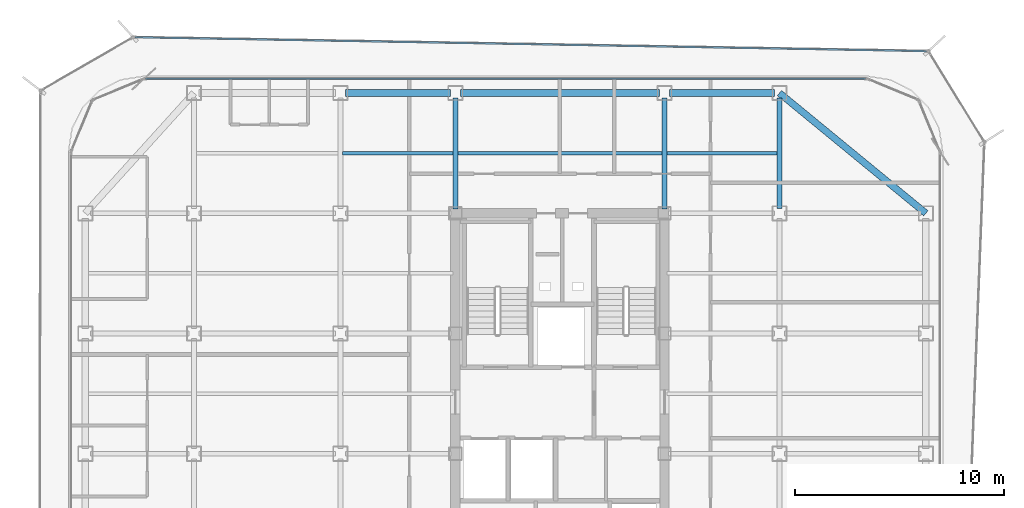
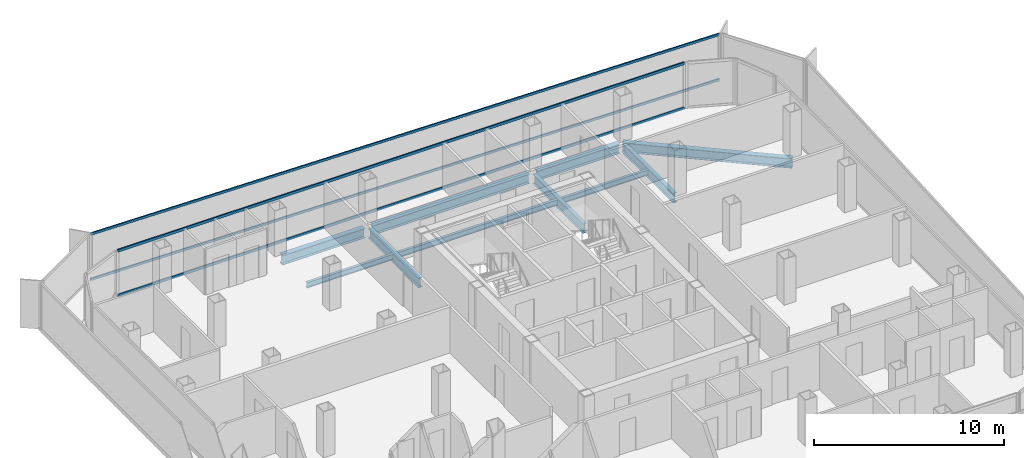
# One storey, part 7 of 16: 10 beams, 4 members, 2 elements without a shape of their own.
"""IFC4 building model written with IfcOpenShell, lengths in metres."""

import ifcopenshell
import ifcopenshell.guid

model = None  # the IFC model being written
_history = None  # IfcOwnerHistory: only IFC2X3 demands one
_inside = {}  # id of a spatial element -> (the spatial element, [elements in it])
_under = {}  # id of a project, library or spatial element -> (it, [spatial elements below it])
_declared = {}  # id of a project -> (the project, [libraries it declares])
_typed = {}  # id of a type object -> (the type object, [elements of that type])
_made_of = {}  # id of a material, layer set ... -> (it, [elements and type objects made of it])


def new_model(schema):
    """Start an empty IFC model of exactly this schema.

    Asked for "IFC4X3", IfcOpenShell would pick the latest addendum, in which some entities
    have other attributes; the version numbers below select the first issue.
    IFC2X3 requires an IfcOwnerHistory on every rooted entity: one is made here for all.
    """
    global model, _history
    if schema == "IFC4X3":
        model = ifcopenshell.file(schema_version=(4, 3, 0, 0))
    else:
        model = ifcopenshell.file(schema=schema)
    _inside.clear()
    _under.clear()
    _declared.clear()
    _typed.clear()
    _made_of.clear()
    _history = None
    if model.schema == "IFC2X3":
        org = make("IfcOrganization", Name="unknown")
        user = make(
            "IfcPersonAndOrganization",
            ThePerson=make("IfcPerson", FamilyName="unknown"),
            TheOrganization=org,
        )
        app = make(
            "IfcApplication",
            ApplicationDeveloper=org,
            Version="unknown",
            ApplicationFullName="unknown",
            ApplicationIdentifier="unknown",
        )
        _history = make(
            "IfcOwnerHistory",
            OwningUser=user,
            OwningApplication=app,
            ChangeAction="ADDED",
            CreationDate=0,
        )
    return model


def make(cls, **values):
    """One entity of the class cls with the attributes given. An attribute that is None is left unset."""
    return model.create_entity(
        cls, **{name: value for name, value in values.items() if value is not None}
    )


def rooted(cls, **values):
    """An entity with a GlobalId (a new one), such as an element, a storey or a relation."""
    return make(cls, GlobalId=ifcopenshell.guid.new(), OwnerHistory=_history, **values)


def si_unit(unit_type, name, prefix=None):
    """IfcSIUnit, for example si_unit("LENGTHUNIT", "METRE", prefix="MILLI")."""
    return make("IfcSIUnit", UnitType=unit_type, Prefix=prefix, Name=name)


def assignment(units):
    """IfcUnitAssignment: the units of a project."""
    return None if units is None else make("IfcUnitAssignment", Units=units)


def point(xyz):
    """IfcCartesianPoint."""
    return None if xyz is None else make("IfcCartesianPoint", Coordinates=xyz)


def direction(xyz):
    """IfcDirection."""
    return None if xyz is None else make("IfcDirection", DirectionRatios=xyz)


def frame(location, z_axis=None, x_axis=None):
    """IfcAxis2Placement3D, a coordinate frame: its origin and axes. An axis left out is left unset."""
    return make(
        "IfcAxis2Placement3D",
        Location=point(location),
        Axis=direction(z_axis),
        RefDirection=direction(x_axis),
    )


def frame_2d(location, x_axis=None):
    """IfcAxis2Placement2D, a coordinate frame in the plane: its origin and x axis."""
    return make(
        "IfcAxis2Placement2D", Location=point(location), RefDirection=direction(x_axis)
    )


def origin():
    """The frame at (0, 0, 0) with its axes left unset."""
    return frame((0.0, 0.0, 0.0))


def origin_2d():
    """The frame at (0, 0) in the plane with its x axis left unset."""
    return frame_2d((0.0, 0.0))


def place(relative_to, where):
    """IfcLocalPlacement: puts the frame where relative to a parent placement (None: the world)."""
    return make(
        "IfcLocalPlacement", PlacementRelTo=relative_to, RelativePlacement=where
    )


def context(
    kind, dimensions, precision=None, world=None, true_north=None, identifier=None
):
    """IfcGeometricRepresentationContext, for example the 3D "Model" context."""
    return make(
        "IfcGeometricRepresentationContext",
        ContextIdentifier=identifier,
        ContextType=kind,
        CoordinateSpaceDimension=dimensions,
        Precision=precision,
        WorldCoordinateSystem=world,
        TrueNorth=true_north,
    )


def subcontext(parent, identifier, kind, view, scale=None):
    """IfcGeometricRepresentationSubContext, for example "Body" below "Model"."""
    return make(
        "IfcGeometricRepresentationSubContext",
        ContextIdentifier=identifier,
        ContextType=kind,
        ParentContext=parent,
        TargetScale=scale,
        TargetView=view,
    )


def project(units=None, contexts=None):
    """IfcProject with its units and contexts."""
    return rooted(
        "IfcProject",
        Name="project",
        RepresentationContexts=contexts,
        UnitsInContext=assignment(units),
    )


def spatial(cls, under=None, at=None, **own):
    """A site, building, storey or space (cls), placed at a placement, below another one or the project."""
    s = rooted(cls, ObjectPlacement=at, **own)
    if under is not None:
        _under.setdefault(under.id(), (under, []))[1].append(s)
    return s


def profile(cls, at=None, kind="AREA", **sizes):
    """A parametric profile (cls). Its sizes go by their IFC names, for example OverallWidth=200.0."""
    return make(cls, ProfileType=kind, Position=at, **sizes)


def hollow_rectangle(**sizes):
    """IfcRectangleHollowProfileDef."""
    return profile("IfcRectangleHollowProfileDef", **sizes)


def i_section(**sizes):
    """IfcIShapeProfileDef."""
    return profile("IfcIShapeProfileDef", **sizes)


def extrude(swept, where, along, depth):
    """IfcExtrudedAreaSolid: the profile swept, set in the frame where, extruded along a direction by depth."""
    return make(
        "IfcExtrudedAreaSolid",
        SweptArea=swept,
        Position=where,
        ExtrudedDirection=direction(along),
        Depth=depth,
    )


def shape(context_of_items, identifier, shape_type, items):
    """IfcShapeRepresentation: the items that make up one representation, for example the "Body"."""
    return make(
        "IfcShapeRepresentation",
        ContextOfItems=context_of_items,
        RepresentationIdentifier=identifier,
        RepresentationType=shape_type,
        Items=items,
    )


def source(mapping_origin, context_of_items, identifier, shape_type, items):
    """IfcRepresentationMap: a shape defined once, which mapped items show again and again."""
    return make(
        "IfcRepresentationMap",
        MappingOrigin=mapping_origin,
        MappedRepresentation=shape(context_of_items, identifier, shape_type, items),
    )


def transform(
    local_origin,
    x_axis=None,
    y_axis=None,
    z_axis=None,
    scale=None,
    scale2=None,
    scale3=None,
    uniform=True,
):
    """IfcCartesianTransformationOperator3D, or its non-uniform kind. x_axis, y_axis, z_axis: its Axis1, 2, 3."""
    if uniform:
        return make(
            "IfcCartesianTransformationOperator3D",
            Axis1=direction(x_axis),
            Axis2=direction(y_axis),
            LocalOrigin=point(local_origin),
            Scale=scale,
            Axis3=direction(z_axis),
        )
    return make(
        "IfcCartesianTransformationOperator3DnonUniform",
        Axis1=direction(x_axis),
        Axis2=direction(y_axis),
        LocalOrigin=point(local_origin),
        Scale=scale,
        Axis3=direction(z_axis),
        Scale2=scale2,
        Scale3=scale3,
    )


def mapped(mapping_source, mapping_target):
    """IfcMappedItem: shows the shape of a source again, moved by a transform."""
    return make(
        "IfcMappedItem", MappingSource=mapping_source, MappingTarget=mapping_target
    )


def material(Name=None, Category=None):
    """IfcMaterial."""
    return make("IfcMaterial", Name=Name, Category=Category)


def layer(
    of_material, thickness, ventilated=None, Name=None, Category=None, Priority=None
):
    """IfcMaterialLayer: one layer of a wall or slab, of a material (None: an air gap)."""
    return make(
        "IfcMaterialLayer",
        Material=of_material,
        LayerThickness=thickness,
        IsVentilated=ventilated,
        Name=Name,
        Category=Category,
        Priority=Priority,
    )


def layer_set(layers, Name=None):
    """IfcMaterialLayerSet."""
    return make("IfcMaterialLayerSet", MaterialLayers=layers, LayerSetName=Name)


def material_profile(
    of_material, cross_section, Name=None, Category=None, Priority=None
):
    """IfcMaterialProfile: a cross section and its material."""
    return make(
        "IfcMaterialProfile",
        Name=Name,
        Material=of_material,
        Profile=cross_section,
        Priority=Priority,
        Category=Category,
    )


def profile_set(profiles, Name=None, composite=None):
    """IfcMaterialProfileSet."""
    return make(
        "IfcMaterialProfileSet",
        Name=Name,
        MaterialProfiles=profiles,
        CompositeProfile=composite,
    )


def made_of(thing, what):
    """Note that an element or type object is made of a material, layer set ...; save() writes the relation."""
    if what is not None:
        _made_of.setdefault(what.id(), (what, []))[1].append(thing)
    return thing


def type_object(cls, material=None, **own):
    """A type object (cls), such as IfcWallType, which elements share."""
    return made_of(rooted(cls, **own), material)


def element(
    cls,
    number,
    at=None,
    inside=None,
    cuts=None,
    type_object=None,
    material=None,
    context=None,
    identifier="Body",
    shape_type=None,
    held_by="IfcProductDefinitionShape",
    body=None,
    shapes=None,
    **own,
):
    """One element of the class cls, such as IfcWall. Its Tag is "e" and its number.

    at: its placement. inside: the storey or other place that contains it. cuts: it is an
    opening in that element (IfcRelVoidsElement). A single representation is given by context,
    identifier, shape_type and body (its items); several are given by shapes. held_by: the class
    of the entity that holds the representations. save() writes the other relations.
    """
    e = rooted(cls, Tag="e%d" % number, ObjectPlacement=at, **own)
    if body is not None:
        shapes = [shape(context, identifier, shape_type, body)]
    if shapes is not None:
        e.Representation = make(held_by, Representations=shapes)
    if inside is not None:
        _inside.setdefault(inside.id(), (inside, []))[1].append(e)
    if cuts is not None:
        rooted(
            "IfcRelVoidsElement", RelatingBuildingElement=cuts, RelatedOpeningElement=e
        )
    if type_object is not None:
        _typed.setdefault(type_object.id(), (type_object, []))[1].append(e)
    return made_of(e, material)


def aggregate(whole, parts):
    """IfcRelAggregates: a whole, such as a stair, and the parts it consists of."""
    return rooted("IfcRelAggregates", RelatingObject=whole, RelatedObjects=parts)


def save(model, path):
    """Write the relations noted so far, then the file.

    IfcRelAggregates (storeys below a building ...), IfcRelContainedInSpatialStructure (elements
    in a storey), IfcRelDefinesByType, IfcRelAssociatesMaterial and IfcRelDeclares: one each for
    every whole, place, type object, material and project.
    """
    for whole, parts in _under.values():
        aggregate(whole, parts)
    for where, things in _inside.values():
        rooted(
            "IfcRelContainedInSpatialStructure",
            RelatedElements=things,
            RelatingStructure=where,
        )
    for kind, things in _typed.values():
        rooted("IfcRelDefinesByType", RelatedObjects=things, RelatingType=kind)
    for what, things in _made_of.values():
        rooted("IfcRelAssociatesMaterial", RelatedObjects=things, RelatingMaterial=what)
    for by, libraries in _declared.values():
        rooted("IfcRelDeclares", RelatingContext=by, RelatedDefinitions=libraries)
    model.write(path)


model = new_model("IFC4")

# Units and contexts
model_context = context("Model", 3, precision=1e-05, world=origin(), true_north=direction((0.0, 1.0)))
body_context = subcontext(model_context, "Body", "Model", "MODEL_VIEW")
ifc_project = project(units=[si_unit("LENGTHUNIT", "METRE"), si_unit("AREAUNIT", "SQUARE_METRE"), si_unit("VOLUMEUNIT", "CUBIC_METRE"), si_unit("PLANEANGLEUNIT", "RADIAN"), si_unit("MASSUNIT", "GRAM", prefix="KILO")], contexts=[model_context])

# Site, building, storey
site_placement = place(None, origin())
site = spatial("IfcSite", under=ifc_project, at=site_placement, CompositionType="ELEMENT")
building_placement = place(site_placement, origin())
building = spatial("IfcBuilding", under=site, at=building_placement, Name="Kolveth Station Tower", CompositionType="ELEMENT")
storey_placement = place(building_placement, frame((0.0, 0.0, 206.0)))
storey = spatial("IfcBuildingStorey", under=building, at=storey_placement, Name="L58", CompositionType="ELEMENT", Elevation=206.0)

# Beams
ifc_material_1 = material(Name="Steel S355", Category="steel")
ifc_material_profile_1 = material_profile(ifc_material_1, i_section(OverallWidth=0.323974609375, OverallDepth=0.611083984375, WebThickness=0.0126953125, FlangeThickness=0.01904296875, at=origin_2d()), Name="W610x155")
ifc_profile_set_1 = profile_set([ifc_material_profile_1], Name="Steel S355")
beam_type_1 = type_object("IfcBeamType", Name="Beam_SP2", PredefinedType="SPANDREL", material=ifc_profile_set_1)
shared_shape_1 = source(origin(), body_context, "Body", "SweptSolid", [
    extrude(i_section(OverallWidth=0.323974609375, OverallDepth=0.611083984375, WebThickness=0.0126953125, FlangeThickness=0.01904296875, at=origin_2d()), origin(), (0.0, 0.0, 1.0), 5.02001953125),
])
for number, where, z_axis, x_axis, name in (
    (1, (13.239990234375, 34.5, -0.555419921875), (1.0, 0.0, 0.0), (0.0, 1.0, 0.0), "L58 Perimeter Spandrel BM-L58-PN-2"),
    (2, (28.739990234375, 34.5, -0.555419921875), (1.0, 0.0, 0.0), (0.0, 1.0, 0.0), "L58 Perimeter Spandrel BM-L58-PN-4"),
):
    element("IfcBeam", number, at=place(storey_placement, frame(where, z_axis=z_axis, x_axis=x_axis)), inside=storey, type_object=beam_type_1, Name=name, PredefinedType="SPANDREL", context=body_context, shape_type="MappedRepresentation", body=[
        mapped(shared_shape_1, transform((0.0, 0.0, 0.0), x_axis=(1.0, 0.0, 0.0), y_axis=(0.0, 1.0, 0.0), z_axis=(0.0, 0.0, 1.0), scale=1.0)),
    ])
shared_shape_2 = source(origin(), body_context, "Body", "SweptSolid", [
    extrude(i_section(OverallWidth=0.323974609375, OverallDepth=0.611083984375, WebThickness=0.0126953125, FlangeThickness=0.01904296875, at=origin_2d()), origin(), (0.0, 0.0, 1.0), 9.52001953125),
])
beam_1_placement = place(storey_placement, frame((18.739990234375, 34.5, -0.555419921875), z_axis=(1.0, 0.0, 0.0), x_axis=(0.0, 1.0, 0.0)))
element("IfcBeam", 3, at=beam_1_placement, inside=storey, type_object=beam_type_1, Name="L58 Perimeter Spandrel BM-L58-PN-3", PredefinedType="SPANDREL", context=body_context, shape_type="MappedRepresentation", body=[
    mapped(shared_shape_2, transform((0.0, 0.0, 0.0), x_axis=(1.0, 0.0, 0.0), y_axis=(0.0, 1.0, 0.0), z_axis=(0.0, 0.0, 1.0), scale=1.0)),
])
shared_shape_3 = source(origin(), body_context, "Body", "SweptSolid", [
    extrude(i_section(OverallWidth=0.323974609375, OverallDepth=0.611083984375, WebThickness=0.0126953125, FlangeThickness=0.01904296875, at=origin_2d()), origin(), (0.0, 0.0, 1.0), 9.058837890625),
])
beam_2_placement = place(storey_placement, frame((41.0, 28.75, -0.555419921875), z_axis=(-0.772726254525, 0.63473942336, 0.0), x_axis=(-0.63473942336, -0.772726254525, 0.0)))
element("IfcBeam", 4, at=beam_2_placement, inside=storey, type_object=beam_type_1, Name="L58 Corner Edge Girder BM-L58-CNR-NE", PredefinedType="SPANDREL", context=body_context, shape_type="MappedRepresentation", body=[
    mapped(shared_shape_3, transform((0.0, 0.0, 0.0), x_axis=(1.0, 0.0, 0.0), y_axis=(0.0, 1.0, 0.0), z_axis=(0.0, 0.0, 1.0), scale=1.0)),
])
ifc_material_profile_2 = material_profile(ifc_material_1, i_section(OverallWidth=0.22900390625, OverallDepth=0.612060546875, WebThickness=0.011962890625, FlangeThickness=0.01953125, at=origin_2d()), Name="W610x125")
ifc_profile_set_2 = profile_set([ifc_material_profile_2], Name="Steel S355")
beam_type_2 = type_object("IfcBeamType", Name="Beam_B5", PredefinedType="BEAM", material=ifc_profile_set_2)
shared_shape_4 = source(origin(), body_context, "Body", "SweptSolid", [
    extrude(i_section(OverallWidth=0.22900390625, OverallDepth=0.612060546875, WebThickness=0.011962890625, FlangeThickness=0.01953125, at=origin_2d()), origin(), (0.0, 0.0, 1.0), 5.27001953125),
])
beam_3_placement = place(storey_placement, frame((34.0, 28.989990234375, -0.555908203125), z_axis=(0.0, 1.0, 0.0), x_axis=(-1.0, 0.0, 0.0)))
element("IfcBeam", 5, at=beam_3_placement, inside=storey, type_object=beam_type_2, Name="L58 Primary Girder BM-L58-GX340-6", PredefinedType="BEAM", context=body_context, shape_type="MappedRepresentation", body=[
    mapped(shared_shape_4, transform((0.0, 0.0, 0.0), x_axis=(1.0, 0.0, 0.0), y_axis=(0.0, 1.0, 0.0), z_axis=(0.0, 0.0, 1.0), scale=1.0)),
])
shared_shape_5 = source(origin(), body_context, "Body", "SweptSolid", [
    extrude(i_section(OverallWidth=0.22900390625, OverallDepth=0.612060546875, WebThickness=0.011962890625, FlangeThickness=0.01953125, at=origin_2d()), origin(), (0.0, 0.0, 1.0), 5.31005859375),
])
for number, where, z_axis, x_axis, name in (
    (6, (18.5, 28.949951171875, -0.555908203125), (0.0, 1.0, 0.0), (-1.0, 0.0, 0.0), "L58 Primary Girder BM-L58-GX185-6"),
    (7, (28.5, 28.949951171875, -0.555908203125), (0.0, 1.0, 0.0), (-1.0, 0.0, 0.0), "L58 Primary Girder BM-L58-GX285-6"),
):
    element("IfcBeam", number, at=place(storey_placement, frame(where, z_axis=z_axis, x_axis=x_axis)), inside=storey, type_object=beam_type_2, Name=name, PredefinedType="BEAM", context=body_context, shape_type="MappedRepresentation", body=[
        mapped(shared_shape_5, transform((0.0, 0.0, 0.0), x_axis=(1.0, 0.0, 0.0), y_axis=(0.0, 1.0, 0.0), z_axis=(0.0, 0.0, 1.0), scale=1.0)),
    ])
ifc_material_profile_3 = material_profile(ifc_material_1, i_section(OverallWidth=0.1708984375, OverallDepth=0.35205078125, WebThickness=0.0068359375, FlangeThickness=0.009765625, at=origin_2d()), Name="W360x44")
ifc_profile_set_3 = profile_set([ifc_material_profile_3], Name="Steel S355")
beam_type_3 = type_object("IfcBeamType", Name="Beam_J2", PredefinedType="JOIST", material=ifc_profile_set_3)
shared_shape_6 = source(origin(), body_context, "Body", "SweptSolid", [
    extrude(i_section(OverallWidth=0.1708984375, OverallDepth=0.35205078125, WebThickness=0.0068359375, FlangeThickness=0.009765625, at=origin_2d()), origin(), (0.0, 0.0, 1.0), 5.27490234375),
])
for number, where, z_axis, x_axis, name in (
    (8, (13.112548828125, 31.625, -0.426025390625), (1.0, 0.0, 0.0), (0.0, 1.0, 0.0), "L58 Secondary Joist JST-L58-3-6"),
    (9, (28.612548828125, 31.625, -0.426025390625), (1.0, 0.0, 0.0), (0.0, 1.0, 0.0), "L58 Secondary Joist JST-L58-5-6"),
):
    element("IfcBeam", number, at=place(storey_placement, frame(where, z_axis=z_axis, x_axis=x_axis)), inside=storey, type_object=beam_type_3, Name=name, PredefinedType="JOIST", context=body_context, shape_type="MappedRepresentation", body=[
        mapped(shared_shape_6, transform((0.0, 0.0, 0.0), x_axis=(1.0, 0.0, 0.0), y_axis=(0.0, 1.0, 0.0), z_axis=(0.0, 0.0, 1.0), scale=1.0)),
    ])
shared_shape_7 = source(origin(), body_context, "Body", "SweptSolid", [
    extrude(i_section(OverallWidth=0.1708984375, OverallDepth=0.35205078125, WebThickness=0.0068359375, FlangeThickness=0.009765625, at=origin_2d()), origin(), (0.0, 0.0, 1.0), 9.77490234375),
])
beam_4_placement = place(storey_placement, frame((18.612548828125, 31.625, -0.426025390625), z_axis=(1.0, 0.0, 0.0), x_axis=(0.0, 1.0, 0.0)))
element("IfcBeam", 10, at=beam_4_placement, inside=storey, type_object=beam_type_3, Name="L58 Secondary Joist JST-L58-4-6", PredefinedType="JOIST", context=body_context, shape_type="MappedRepresentation", body=[
    mapped(shared_shape_7, transform((0.0, 0.0, 0.0), x_axis=(1.0, 0.0, 0.0), y_axis=(0.0, 1.0, 0.0), z_axis=(0.0, 0.0, 1.0), scale=1.0)),
])

# Curtain wall, members
ifc_material_2 = material(Name="Aluminium 6063-T6 and low-E dark glass", Category="aluminium")
ifc_layer_1 = layer(ifc_material_2, 0.18994140625)
ifc_layer_set_1 = layer_set([ifc_layer_1], Name="Aluminium 6063-T6 and low-E dark glass")
curtain_wall_type_1 = type_object("IfcCurtainWallType", Name="CurtainWall_CW-Z2", PredefinedType="NOTDEFINED", material=ifc_layer_set_1)
curtain_wall_1_placement = place(storey_placement, origin())
curtain_wall_1 = element("IfcCurtainWall", 11, at=curtain_wall_1_placement, inside=storey, type_object=curtain_wall_type_1, Name="L58 Inner Thermal Curtain Wall 6", PredefinedType="NOTDEFINED")
ifc_material_3 = material(Name="Black anodized aluminium 6063-T6", Category="aluminium")
ifc_material_profile_4 = material_profile(ifc_material_3, hollow_rectangle(XDim=0.080078125, YDim=0.169921875, WallThickness=0.0048828125, at=origin_2d()), Name="ALU-80x170x5")
ifc_profile_set_4 = profile_set([ifc_material_profile_4], Name="Black anodized aluminium 6063-T6")
member_type_1 = type_object("IfcMemberType", Name="Transom_TR2", PredefinedType="USERDEFINED", material=ifc_profile_set_4)
shared_shape_8 = source(origin(), body_context, "Body", "SweptSolid", [
    extrude(hollow_rectangle(XDim=0.080078125, YDim=0.169921875, WallThickness=0.0048828125, at=origin_2d()), origin(), (0.0, 0.0, 1.0), 34.440185546875),
])
member_1_placement = place(storey_placement, frame((38.1201171875, 35.179931640625, 0.0400390625), z_axis=(-1.0, 0.0, 0.0), x_axis=(0.0, -1.0, 0.0)))
member_1 = element("IfcMember", 12, at=member_1_placement, type_object=member_type_1, Name="CW-Z2 transom 1.1", ObjectType="TRANSOM", PredefinedType="USERDEFINED", context=body_context, shape_type="MappedRepresentation", body=[
    mapped(shared_shape_8, transform((0.0, 0.0, 0.0), x_axis=(1.0, 0.0, 0.0), y_axis=(0.0, 1.0, 0.0), z_axis=(0.0, 0.0, 1.0), scale=1.0)),
])
member_2_placement = place(storey_placement, frame((38.1201171875, 35.179931640625, 2.909912109375), z_axis=(-1.0, 0.0, 0.0), x_axis=(0.0, -1.0, 0.0)))
member_2 = element("IfcMember", 13, at=member_2_placement, type_object=member_type_1, Name="CW-Z2 transom 1.2", ObjectType="TRANSOM", PredefinedType="USERDEFINED", context=body_context, shape_type="MappedRepresentation", body=[
    mapped(shared_shape_8, transform((0.0, 0.0, 0.0), x_axis=(1.0, 0.0, 0.0), y_axis=(0.0, 1.0, 0.0), z_axis=(0.0, 0.0, 1.0), scale=1.0)),
])
aggregate(curtain_wall_1, [member_1, member_2])

ifc_material_4 = material(Name="Black anodized aluminium 6063-T6 and dark solar glass", Category="aluminium")
ifc_layer_2 = layer(ifc_material_4, 0.159912109375)
ifc_layer_set_2 = layer_set([ifc_layer_2], Name="Black anodized aluminium 6063-T6 and dark solar glass")
curtain_wall_type_2 = type_object("IfcCurtainWallType", Name="OUTER SKIN CW-OS", PredefinedType="NOTDEFINED", material=ifc_layer_set_2)
curtain_wall_2_placement = place(storey_placement, origin())
curtain_wall_2 = element("IfcCurtainWall", 14, at=curtain_wall_2_placement, inside=storey, type_object=curtain_wall_type_2, Name="L58 Outer Ventilated Skin Curtain Wall 4", PredefinedType="NOTDEFINED")
ifc_material_profile_5 = material_profile(ifc_material_3, hollow_rectangle(XDim=0.080078125, YDim=0.14990234375, WallThickness=0.0048828125, at=origin_2d()), Name="ALU-80x150x5")
ifc_profile_set_5 = profile_set([ifc_material_profile_5], Name="Black anodized aluminium 6063-T6")
member_type_2 = type_object("IfcMemberType", Name="Transom_TR-OS", PredefinedType="USERDEFINED", material=ifc_profile_set_5)
shared_shape_9 = source(origin(), body_context, "Body", "SweptSolid", [
    extrude(hollow_rectangle(XDim=0.080078125, YDim=0.14990234375, WallThickness=0.0048828125, at=origin_2d()), origin(), (0.0, 0.0, 1.0), 37.8564453125),
])
member_3_placement = place(storey_placement, frame((41.034912109375, 36.50439453125, 0.0400390625), z_axis=(-0.999846360211, 0.017528718537, 0.0), x_axis=(-0.017528718537, -0.999846360211, 0.0)))
member_3 = element("IfcMember", 15, at=member_3_placement, type_object=member_type_2, Name="CW-OS transom 1.1", ObjectType="TRANSOM", PredefinedType="USERDEFINED", context=body_context, shape_type="MappedRepresentation", body=[
    mapped(shared_shape_9, transform((0.0, 0.0, 0.0), x_axis=(1.0, 0.0, 0.0), y_axis=(0.0, 1.0, 0.0), z_axis=(0.0, 0.0, 1.0), scale=1.0)),
])
member_4_placement = place(storey_placement, frame((41.034912109375, 36.50439453125, 2.949951171875), z_axis=(-0.999846360211, 0.017528718537, 0.0), x_axis=(-0.017528718537, -0.999846360211, 0.0)))
member_4 = element("IfcMember", 16, at=member_4_placement, type_object=member_type_2, Name="CW-OS transom 1.2", ObjectType="TRANSOM", PredefinedType="USERDEFINED", context=body_context, shape_type="MappedRepresentation", body=[
    mapped(shared_shape_9, transform((0.0, 0.0, 0.0), x_axis=(1.0, 0.0, 0.0), y_axis=(0.0, 1.0, 0.0), z_axis=(0.0, 0.0, 1.0), scale=1.0)),
])
aggregate(curtain_wall_2, [member_3, member_4])

save(model, "model.ifc")
